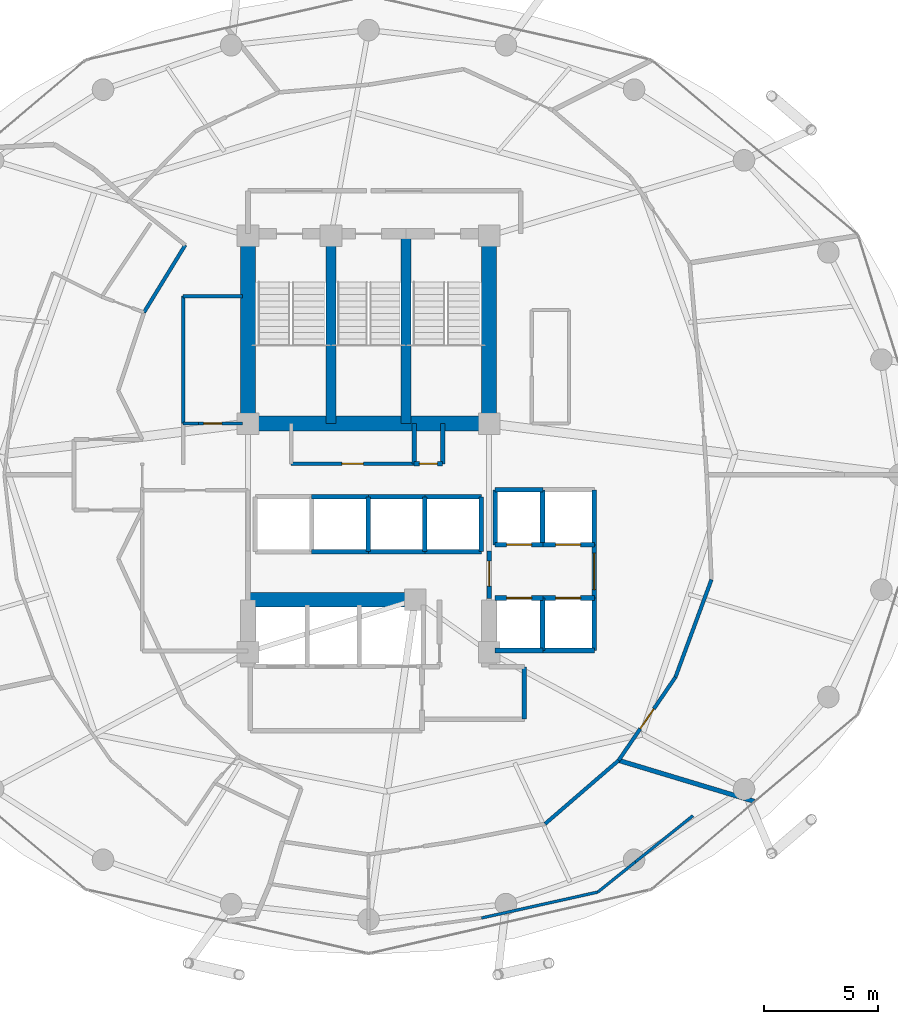
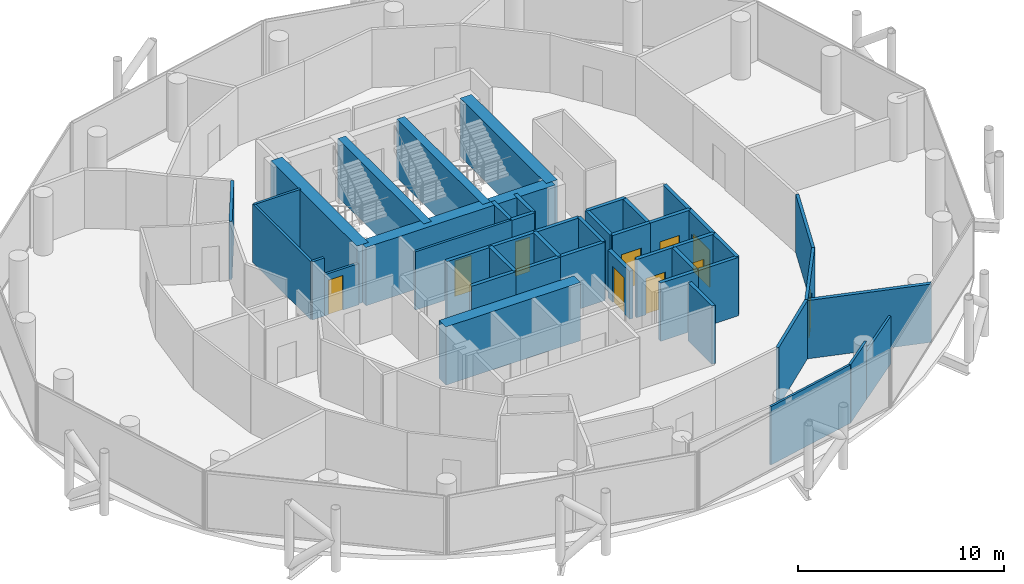
# One storey, part 23 of 26: 46 walls, 10 doors, 10 openings.
"""IFC4 building model written with IfcOpenShell, lengths in metres."""

from ifc_helpers import new_model, si_unit, direction, frame, frame_2d, origin, place, context, subcontext, project, spatial, rectangle, extrude, material, layer, layer_set, type_object, element, fill, save


model = new_model("IFC4")

# Units and contexts
model_context = context("Model", 3, precision=1e-05, world=origin(), true_north=direction((0.0, 1.0)))
body_context = subcontext(model_context, "Body", "Model", "MODEL_VIEW")
ifc_project = project(units=[si_unit("LENGTHUNIT", "METRE"), si_unit("AREAUNIT", "SQUARE_METRE"), si_unit("VOLUMEUNIT", "CUBIC_METRE"), si_unit("PLANEANGLEUNIT", "RADIAN"), si_unit("MASSUNIT", "GRAM", prefix="KILO")], contexts=[model_context])

# Site, building, storey
site_placement = place(None, origin())
site = spatial("IfcSite", under=ifc_project, at=site_placement, CompositionType="ELEMENT")
building_placement = place(site_placement, origin())
building = spatial("IfcBuilding", under=site, at=building_placement, Name="Nuhasar Tower", CompositionType="ELEMENT")
storey_placement = place(building_placement, frame((0.0, 0.0, 188.550048828125)))
storey = spatial("IfcBuildingStorey", under=building, at=storey_placement, Name="L46", CompositionType="ELEMENT", Elevation=188.550048828125)

# Walls
ifc_material_1 = material(Name="Concrete C50/60", Category="concrete")
ifc_layer_1 = layer(ifc_material_1, 0.449951171875)
ifc_layer_set_1 = layer_set([ifc_layer_1], Name="Concrete C50/60")
wall_type_1 = type_object("IfcWallType", Name="WL-CORE-450", PredefinedType="SHEAR", material=ifc_layer_set_1)
for number, where, z_axis, x_axis, name in (
    (1, (37.35009765625, 29.050048828125, 0.0), (0.0, 0.0, 1.0), (0.0, 1.0, 0.0), "L46 Stairwell Shear Wall ST01-E"),
    (2, (40.64990234375, 29.050048828125, 0.0), (0.0, 0.0, 1.0), (0.0, 1.0, 0.0), "L46 Stairwell Shear Wall ST03-E"),
):
    element("IfcWall", number, at=place(storey_placement, frame(where, z_axis=z_axis, x_axis=x_axis)), inside=storey, type_object=wall_type_1, Name=name, PredefinedType="SHEAR", context=body_context, shape_type="SweptSolid", body=[
        extrude(rectangle(XDim=8.349853515625, YDim=0.449951171875, at=frame_2d((4.1748046875, 0.0))), origin(), (0.0, 0.0, 1.0), 3.449951171875),
    ])
ifc_material_2 = material(Name="Concrete C65/80", Category="concrete")
ifc_layer_2 = layer(ifc_material_2, 0.64990234375)
ifc_layer_set_2 = layer_set([ifc_layer_2], Name="Concrete C65/80")
wall_type_2 = type_object("IfcWallType", Name="WL-CORE-650", PredefinedType="SHEAR", material=ifc_layer_set_2)
for number, where, z_axis, x_axis, name in (
    (3, (33.699951171875, 29.050048828125, 0.0), (0.0, 0.0, 1.0), (0.0, 1.0, 0.0), "L46 Core Shear Wall CW-NW CW-650"),
    (4, (44.300048828125, 29.050048828125, 0.0), (0.0, 0.0, 1.0), (0.0, 1.0, 0.0), "L46 Core Shear Wall CW-NE CW-650"),
):
    element("IfcWall", number, at=place(storey_placement, frame(where, z_axis=z_axis, x_axis=x_axis)), inside=storey, type_object=wall_type_2, Name=name, PredefinedType="SHEAR", context=body_context, shape_type="SweptSolid", body=[
        extrude(rectangle(XDim=8.349853515625, YDim=0.64990234375, at=frame_2d((4.1748046875, 0.0))), origin(), (0.0, 0.0, 1.0), 3.449951171875),
    ])
wall_1_placement = place(storey_placement, frame((33.699951171875, 29.050048828125, 0.0), z_axis=(0.0, 0.0, 1.0), x_axis=(1.0, 0.0, 0.0)))
element("IfcWall", 5, at=wall_1_placement, inside=storey, type_object=wall_type_2, Name="L46 Core Shear Wall CW-N1 CW-650", PredefinedType="SHEAR", context=body_context, shape_type="SweptSolid", body=[
    extrude(rectangle(XDim=10.60009765625, YDim=0.64990234375, at=frame_2d((5.300048828125, 0.0))), origin(), (0.0, 0.0, 1.0), 3.449951171875),
])
wall_2_placement = place(storey_placement, frame((33.699951171875, 21.300048828125, 0.0), z_axis=(0.0, 0.0, 1.0), x_axis=(1.0, 0.0, 0.0)))
element("IfcWall", 6, at=wall_2_placement, inside=storey, type_object=wall_type_2, Name="L46 Core Shear Wall CW-S1 CW-650", PredefinedType="SHEAR", context=body_context, shape_type="SweptSolid", body=[
    extrude(rectangle(XDim=7.550048828125, YDim=0.64990234375, at=frame_2d((3.77490234375, 0.0))), origin(), (0.0, 0.0, 1.0), 3.449951171875),
])
ifc_material_3 = material(Name="Gypsum Board", Category="gypsum")
ifc_layer_3 = layer(ifc_material_3, 0.159912109375)
ifc_layer_set_3 = layer_set([ifc_layer_3], Name="Gypsum Board")
wall_type_3 = type_object("IfcWallType", Name="WL-CORR-160", PredefinedType="PARTITIONING", material=ifc_layer_set_3)
wall_3_placement = place(storey_placement, frame((46.760986328125, 11.445068359375, 0.0), z_axis=(0.0, 0.0, 1.0), x_axis=(0.756921867837, 0.653505383291, 0.0)))
element("IfcWall", 7, at=wall_3_placement, inside=storey, type_object=wall_type_3, Name="L46 Interior Partition CORR-40", PredefinedType="PARTITIONING", context=body_context, shape_type="SweptSolid", body=[
    extrude(rectangle(XDim=4.275390625, YDim=0.159912109375, at=frame_2d((2.1376953125, 0.0))), origin(), (0.0, 0.0, 1.0), 3.449951171875),
])

# Wall, opening, door
wall_4_placement = place(storey_placement, frame((52.49609375, 17.89892578125, 0.0), z_axis=(0.0, 0.0, 1.0), x_axis=(-0.563895671103, -0.825846034144, 0.0)))
wall_4 = element("IfcWall", 8, at=wall_4_placement, inside=storey, type_object=wall_type_3, Name="L46 Interior Partition CORR-42", PredefinedType="PARTITIONING", context=body_context, shape_type="SweptSolid", body=[
    extrude(rectangle(XDim=4.431640625, YDim=0.159912109375, at=frame_2d((2.2158203125, 0.0))), origin(), (0.0, 0.0, 1.0), 3.449951171875),
])
opening_1_placement = place(wall_4_placement, frame((1.69091796875, 0.0, 0.0)))
opening_1 = element("IfcOpeningElement", 9, at=opening_1_placement, cuts=wall_4, Name="Opening DU-01", PredefinedType="OPENING", context=body_context, shape_type="SweptSolid", body=[
    extrude(rectangle(XDim=1.050048828125, YDim=2.14990234375, at=frame_2d((0.52490234375, 1.074951171875))), frame((0.0, 0.08984375, 0.0), z_axis=(0.0, -1.0, 0.0), x_axis=(1.0, 0.0, 0.0)), (0.0, 0.0, 1.0), 0.179931640625),
])
ifc_material_4 = material(Name="Timber Oak", Category="wood")
door_type_1 = type_object("IfcDoorType", Name="DR-SUITE-FD60-1050", OperationType="NOTDEFINED", PredefinedType="DOOR", material=ifc_material_4)
door_1_placement = place(opening_1_placement, origin())
door_1 = element("IfcDoor", 10, at=door_1_placement, inside=storey, type_object=door_type_1, Name="L46 Royal Sky Majlis Lounge Entrance Door", OperationType="SINGLE_SWING_RIGHT", OverallHeight=2.14990234375, OverallWidth=1.050048828125, PredefinedType="DOOR", context=body_context, shape_type="SweptSolid", body=[
    extrude(rectangle(XDim=1.050048828125, YDim=2.14990234375, at=frame_2d((0.52490234375, 1.074951171875))), frame((0.0, 0.02490234375, 0.0), z_axis=(0.0, -1.0, 0.0), x_axis=(1.0, 0.0, 0.0)), (0.0, 0.0, 1.0), 0.050048828125),
])
fill(opening_1, door_1)

# Walls
wall_5_placement = place(storey_placement, frame((52.49609375, 17.89892578125, 0.0), z_axis=(0.0, 0.0, 1.0), x_axis=(0.346222869932, 0.93815229272, 0.0)))
element("IfcWall", 11, at=wall_5_placement, inside=storey, type_object=wall_type_3, Name="L46 Interior Partition CORR-44", PredefinedType="PARTITIONING", context=body_context, shape_type="SweptSolid", body=[
    extrude(rectangle(XDim=4.568603515625, YDim=0.159912109375, at=frame_2d((2.2841796875, 0.0))), origin(), (0.0, 0.0, 1.0), 3.449951171875),
])
wall_6_placement = place(storey_placement, frame((30.93896484375, 36.89697265625, 0.0), z_axis=(0.0, 0.0, 1.0), x_axis=(-0.522486120877, -0.852647789823, 0.0)))
element("IfcWall", 12, at=wall_6_placement, inside=storey, type_object=wall_type_3, Name="L46 Interior Partition HWEST-CORE-N-18", PredefinedType="PARTITIONING", context=body_context, shape_type="SweptSolid", body=[
    extrude(rectangle(XDim=3.468017578125, YDim=0.159912109375, at=frame_2d((1.73388671875, 0.0))), origin(), (0.0, 0.0, 1.0), 3.449951171875),
])

# Wall, opening, door
ifc_material_5 = material(Name="Concrete C45/55", Category="concrete")
ifc_layer_4 = layer(ifc_material_5, 0.199951171875)
ifc_layer_set_4 = layer_set([ifc_layer_4], Name="Concrete C45/55")
wall_type_4 = type_object("IfcWallType", Name="WL-LOBBY-200", PredefinedType="SOLIDWALL", material=ifc_layer_set_4)
wall_7_placement = place(storey_placement, frame((48.929931640625, 21.3798828125, 0.0), z_axis=(0.0, 0.0, 1.0), x_axis=(0.0, 1.0, 0.0)))
wall_7 = element("IfcWall", 13, at=wall_7_placement, inside=storey, type_object=wall_type_4, Name="L46 Interior Partition LLBM-E", PredefinedType="SOLIDWALL", context=body_context, shape_type="SweptSolid", body=[
    extrude(rectangle(XDim=2.340087890625, YDim=0.199951171875, at=frame_2d((1.169921875, 0.0))), origin(), (0.0, 0.0, 1.0), 3.449951171875),
])
opening_2_placement = place(wall_7_placement, frame((0.3701171875, 0.0, 0.0)))
opening_2 = element("IfcOpeningElement", 14, at=opening_2_placement, cuts=wall_7, Name="Opening DC-01", PredefinedType="OPENING", context=body_context, shape_type="SweptSolid", body=[
    extrude(rectangle(XDim=1.60009765625, YDim=2.199951171875, at=frame_2d((0.800048828125, 1.10009765625))), frame((0.0, 0.10986328125, 0.0), z_axis=(0.0, -1.0, 0.0), x_axis=(1.0, 0.0, 0.0)), (0.0, 0.0, 1.0), 0.219970703125),
])
ifc_material_6 = material(Name="Steel S355", Category="steel")
door_type_2 = type_object("IfcDoorType", Name="DR-CORR-FD60-1600", OperationType="DOUBLE_DOOR_SINGLE_SWING", PredefinedType="DOOR", material=ifc_material_6)
door_2_placement = place(opening_2_placement, origin())
door_2 = element("IfcDoor", 15, at=door_2_placement, inside=storey, type_object=door_type_2, Name="L46 Mid-Rise Lift Lobby East Entry", OperationType="DOUBLE_DOOR_SINGLE_SWING", OverallHeight=2.199951171875, OverallWidth=1.60009765625, PredefinedType="DOOR", context=body_context, shape_type="SweptSolid", body=[
    extrude(rectangle(XDim=1.60009765625, YDim=2.199951171875, at=frame_2d((0.800048828125, 1.10009765625))), frame((0.0, 0.02490234375, 0.0), z_axis=(0.0, -1.0, 0.0), x_axis=(1.0, 0.0, 0.0)), (0.0, 0.0, 1.0), 0.050048828125),
])
fill(opening_2, door_2)

wall_8_placement = place(storey_placement, frame((44.300048828125, 21.35009765625, 0.0), z_axis=(0.0, 0.0, 1.0), x_axis=(0.0, 1.0, 0.0)))
wall_8 = element("IfcWall", 16, at=wall_8_placement, inside=storey, type_object=wall_type_4, Name="L46 Interior Partition LLBH-E", PredefinedType="SOLIDWALL", context=body_context, shape_type="SweptSolid", body=[
    extrude(rectangle(XDim=2.099853515625, YDim=0.199951171875, at=frame_2d((1.0498046875, 0.0))), origin(), (0.0, 0.0, 1.0), 2.8349609375),
])
opening_3_placement = place(wall_8_placement, frame((0.550048828125, 0.0, 0.0)))
opening_3 = element("IfcOpeningElement", 17, at=opening_3_placement, cuts=wall_8, Name="Opening DS-02", PredefinedType="OPENING", context=body_context, shape_type="SweptSolid", body=[
    extrude(rectangle(XDim=1.10009765625, YDim=2.14990234375, at=frame_2d((0.550048828125, 1.074951171875))), frame((0.0, 0.10986328125, 0.0), z_axis=(0.0, -1.0, 0.0), x_axis=(1.0, 0.0, 0.0)), (0.0, 0.0, 1.0), 0.219970703125),
])
door_type_3 = type_object("IfcDoorType", Name="DR-FFL-FD120-1100", OperationType="NOTDEFINED", PredefinedType="DOOR", material=ifc_material_6)
door_3_placement = place(opening_3_placement, origin())
door_3 = element("IfcDoor", 18, at=door_3_placement, inside=storey, type_object=door_type_3, Name="L46 High-Rise Lobby East Door", OperationType="SINGLE_SWING_RIGHT", OverallHeight=2.14990234375, OverallWidth=1.10009765625, PredefinedType="DOOR", context=body_context, shape_type="SweptSolid", body=[
    extrude(rectangle(XDim=1.10009765625, YDim=2.14990234375, at=frame_2d((0.550048828125, 1.074951171875))), frame((0.0, 0.02490234375, 0.0), z_axis=(0.0, -1.0, 0.0), x_axis=(1.0, 0.0, 0.0)), (0.0, 0.0, 1.0), 0.050048828125),
])
fill(opening_3, door_3)

# Walls
wall_9_placement = place(storey_placement, frame((45.85009765625, 16.050048828125, 0.0), z_axis=(0.0, 0.0, 1.0), x_axis=(0.0, 1.0, 0.0)))
element("IfcWall", 19, at=wall_9_placement, inside=storey, type_object=wall_type_4, Name="L46 Interior Partition SVLV-E", PredefinedType="SOLIDWALL", context=body_context, shape_type="SweptSolid", body=[
    extrude(rectangle(XDim=2.300048828125, YDim=0.199951171875, at=frame_2d((1.14990234375, 0.0))), origin(), (0.0, 0.0, 1.0), 3.449951171875),
])
ifc_layer_5 = layer(ifc_material_3, 0.125)
ifc_layer_set_5 = layer_set([ifc_layer_5], Name="Gypsum Board")
wall_type_5 = type_object("IfcWallType", Name="WL-PART-125", PredefinedType="PARTITIONING", material=ifc_layer_set_5)
wall_10_placement = place(storey_placement, frame((43.968994140625, 7.30810546875, 0.0), z_axis=(0.0, 0.0, 1.0), x_axis=(0.976029965956, 0.21763617704, 0.0)))
element("IfcWall", 20, at=wall_10_placement, inside=storey, type_object=wall_type_5, Name="L46 Interior Partition HSAL-01-38", PredefinedType="PARTITIONING", context=body_context, shape_type="SweptSolid", body=[
    extrude(rectangle(XDim=5.237548828125, YDim=0.125, at=frame_2d((2.61865234375, 0.0))), origin(), (0.0, 0.0, 1.0), 3.449951171875),
])
wall_11_placement = place(storey_placement, frame((49.0810546875, 8.447998046875, 0.0), z_axis=(0.0, 0.0, 1.0), x_axis=(0.779800892582, 0.626027609558, 0.0)))
element("IfcWall", 21, at=wall_11_placement, inside=storey, type_object=wall_type_5, Name="L46 Interior Partition HSAL-01-40", PredefinedType="PARTITIONING", context=body_context, shape_type="SweptSolid", body=[
    extrude(rectangle(XDim=2.12109375, YDim=0.125, at=frame_2d((1.060546875, 0.0))), origin(), (0.0, 0.0, 1.0), 3.449951171875),
])
wall_12_placement = place(storey_placement, frame((50.735107421875, 9.77587890625, 0.0), z_axis=(0.0, 0.0, 1.0), x_axis=(0.779788382675, 0.626043191997, 0.0)))
element("IfcWall", 22, at=wall_12_placement, inside=storey, type_object=wall_type_5, Name="L46 Interior Partition HSAL-01-40", PredefinedType="PARTITIONING", context=body_context, shape_type="SweptSolid", body=[
    extrude(rectangle(XDim=3.244140625, YDim=0.125, at=frame_2d((1.6220703125, 0.0))), origin(), (0.0, 0.0, 1.0), 2.829833984375),
])
ifc_layer_6 = layer(ifc_material_5, 0.199951171875)
ifc_layer_set_6 = layer_set([ifc_layer_6], Name="Concrete C45/55")
wall_type_6 = type_object("IfcWallType", Name="WL-SHAFT-200", PredefinedType="SOLIDWALL", material=ifc_layer_set_6)
for number, where, z_axis, x_axis, name in (
    (23, (41.0, 27.280029296875, 0.0), (0.0, 0.0, 1.0), (0.0, 1.0, 0.0), "L46 Interior Partition RSRN-W"),
    (24, (42.260009765625, 27.280029296875, 0.0), (0.0, 0.0, 1.0), (0.0, 1.0, 0.0), "L46 Interior Partition RSRN-E"),
):
    element("IfcWall", number, at=place(storey_placement, frame(where, z_axis=z_axis, x_axis=x_axis)), inside=storey, type_object=wall_type_6, Name=name, PredefinedType="SOLIDWALL", context=body_context, shape_type="SweptSolid", body=[
        extrude(rectangle(XDim=1.77001953125, YDim=0.199951171875, at=frame_2d((0.885009765625, 0.0))), origin(), (0.0, 0.0, 1.0), 3.449951171875),
    ])

# Wall, opening, door
wall_13_placement = place(storey_placement, frame((41.0, 27.280029296875, 0.0), z_axis=(0.0, 0.0, 1.0), x_axis=(1.0, 0.0, 0.0)))
wall_13 = element("IfcWall", 25, at=wall_13_placement, inside=storey, type_object=wall_type_6, Name="L46 Interior Partition RSRN-S", PredefinedType="SOLIDWALL", context=body_context, shape_type="SweptSolid", body=[
    extrude(rectangle(XDim=1.260009765625, YDim=0.199951171875, at=frame_2d((0.6298828125, 0.0))), origin(), (0.0, 0.0, 1.0), 3.449951171875),
])
opening_4_placement = place(wall_13_placement, frame((0.22998046875, 0.0, 0.0)))
opening_4 = element("IfcOpeningElement", 26, at=opening_4_placement, cuts=wall_13, Name="Opening DM-01", PredefinedType="OPENING", context=body_context, shape_type="SweptSolid", body=[
    extrude(rectangle(XDim=0.800048828125, YDim=2.050048828125, at=frame_2d((0.39990234375, 1.02490234375))), frame((0.0, 0.10986328125, 0.0), z_axis=(0.0, -1.0, 0.0), x_axis=(1.0, 0.0, 0.0)), (0.0, 0.0, 1.0), 0.219970703125),
])
door_type_4 = type_object("IfcDoorType", Name="DR-RISER-FD60-800", OperationType="NOTDEFINED", PredefinedType="DOOR", material=ifc_material_6)
door_4_placement = place(opening_4_placement, origin())
door_4 = element("IfcDoor", 27, at=door_4_placement, inside=storey, type_object=door_type_4, Name="L46 North Smoke Riser Door", OperationType="SINGLE_SWING_RIGHT", OverallHeight=2.050048828125, OverallWidth=0.800048828125, PredefinedType="DOOR", context=body_context, shape_type="SweptSolid", body=[
    extrude(rectangle(XDim=0.800048828125, YDim=2.050048828125, at=frame_2d((0.39990234375, 1.02490234375))), frame((0.0, 0.02490234375, 0.0), z_axis=(0.0, -1.0, 0.0), x_axis=(1.0, 0.0, 0.0)), (0.0, 0.0, 1.0), 0.050048828125),
])
fill(opening_4, door_4)

wall_14_placement = place(storey_placement, frame((44.570068359375, 23.719970703125, 0.0), z_axis=(0.0, 0.0, 1.0), x_axis=(1.0, 0.0, 0.0)))
wall_14 = element("IfcWall", 28, at=wall_14_placement, inside=storey, type_object=wall_type_6, Name="L46 Interior Partition SHF-PL-M01-S", PredefinedType="SOLIDWALL", context=body_context, shape_type="SweptSolid", body=[
    extrude(rectangle(XDim=2.10986328125, YDim=0.199951171875, at=frame_2d((1.054931640625, 0.0))), origin(), (0.0, 0.0, 1.0), 3.449951171875),
])
opening_5_placement = place(wall_14_placement, frame((0.5048828125, 0.0, 0.0)))
opening_5 = element("IfcOpeningElement", 29, at=opening_5_placement, cuts=wall_14, Name="Opening LD-M01", PredefinedType="OPENING", context=body_context, shape_type="SweptSolid", body=[
    extrude(rectangle(XDim=1.10009765625, YDim=2.14990234375, at=frame_2d((0.550048828125, 1.074951171875))), frame((0.0, 0.10986328125, 0.0), z_axis=(0.0, -1.0, 0.0), x_axis=(1.0, 0.0, 0.0)), (0.0, 0.0, 1.0), 0.219970703125),
])
ifc_material_7 = material(Name="Stainless Steel 316L", Category="steel")
door_type_5 = type_object("IfcDoorType", Name="LD-PAX-1100", OperationType="DOUBLE_DOOR_SLIDING", PredefinedType="DOOR", material=ifc_material_7)
door_5_placement = place(opening_5_placement, origin())
door_5 = element("IfcDoor", 30, at=door_5_placement, inside=storey, type_object=door_type_5, Name="L46 Lift Landing Door PL-M01", OperationType="DOUBLE_DOOR_SLIDING", OverallHeight=2.14990234375, OverallWidth=1.10009765625, PredefinedType="DOOR", context=body_context, shape_type="SweptSolid", body=[
    extrude(rectangle(XDim=1.10009765625, YDim=2.14990234375, at=frame_2d((0.550048828125, 1.074951171875))), frame((0.0, 0.02490234375, 0.0), z_axis=(0.0, -1.0, 0.0), x_axis=(1.0, 0.0, 0.0)), (0.0, 0.0, 1.0), 0.050048828125),
])
fill(opening_5, door_5)

# Walls
wall_15_placement = place(storey_placement, frame((44.570068359375, 26.1298828125, 0.0), z_axis=(0.0, 0.0, 1.0), x_axis=(1.0, 0.0, 0.0)))
element("IfcWall", 31, at=wall_15_placement, inside=storey, type_object=wall_type_6, Name="L46 Interior Partition SHF-PL-M01-N", PredefinedType="SOLIDWALL", context=body_context, shape_type="SweptSolid", body=[
    extrude(rectangle(XDim=2.10986328125, YDim=0.199951171875, at=frame_2d((1.054931640625, 0.0))), origin(), (0.0, 0.0, 1.0), 3.449951171875),
])
for number, where, z_axis, x_axis, name in (
    (32, (44.570068359375, 23.719970703125, 0.0), (0.0, 0.0, 1.0), (0.0, 1.0, 0.0), "L46 Interior Partition SHF-PL-M01-W"),
    (33, (46.64990234375, 23.719970703125, 0.0), (0.0, 0.0, 1.0), (0.0, 1.0, 0.0), "L46 Interior Partition SHF-PL-M01-E"),
):
    element("IfcWall", number, at=place(storey_placement, frame(where, z_axis=z_axis, x_axis=x_axis)), inside=storey, type_object=wall_type_6, Name=name, PredefinedType="SOLIDWALL", context=body_context, shape_type="SweptSolid", body=[
        extrude(rectangle(XDim=2.409912109375, YDim=0.199951171875, at=frame_2d((1.205078125, 0.0))), origin(), (0.0, 0.0, 1.0), 3.449951171875),
    ])

# Wall, opening, door
wall_16_placement = place(storey_placement, frame((46.6201171875, 23.719970703125, 0.0), z_axis=(0.0, 0.0, 1.0), x_axis=(1.0, 0.0, 0.0)))
wall_16 = element("IfcWall", 34, at=wall_16_placement, inside=storey, type_object=wall_type_6, Name="L46 Interior Partition SHF-PL-M02-S", PredefinedType="SOLIDWALL", context=body_context, shape_type="SweptSolid", body=[
    extrude(rectangle(XDim=2.309814453125, YDim=0.199951171875, at=frame_2d((1.15478515625, 0.0))), origin(), (0.0, 0.0, 1.0), 3.449951171875),
])
opening_6_placement = place(wall_16_placement, frame((0.60498046875, 0.0, 0.0)))
opening_6 = element("IfcOpeningElement", 35, at=opening_6_placement, cuts=wall_16, Name="Opening LD-M02", PredefinedType="OPENING", context=body_context, shape_type="SweptSolid", body=[
    extrude(rectangle(XDim=1.10009765625, YDim=2.14990234375, at=frame_2d((0.550048828125, 1.074951171875))), frame((0.0, 0.10986328125, 0.0), z_axis=(0.0, -1.0, 0.0), x_axis=(1.0, 0.0, 0.0)), (0.0, 0.0, 1.0), 0.219970703125),
])
door_6_placement = place(opening_6_placement, origin())
door_6 = element("IfcDoor", 36, at=door_6_placement, inside=storey, type_object=door_type_5, Name="L46 Lift Landing Door PL-M02", OperationType="DOUBLE_DOOR_SLIDING", OverallHeight=2.14990234375, OverallWidth=1.10009765625, PredefinedType="DOOR", context=body_context, shape_type="SweptSolid", body=[
    extrude(rectangle(XDim=1.10009765625, YDim=2.14990234375, at=frame_2d((0.550048828125, 1.074951171875))), frame((0.0, 0.02490234375, 0.0), z_axis=(0.0, -1.0, 0.0), x_axis=(1.0, 0.0, 0.0)), (0.0, 0.0, 1.0), 0.050048828125),
])
fill(opening_6, door_6)

# Walls
wall_17_placement = place(storey_placement, frame((48.929931640625, 23.719970703125, 0.0), z_axis=(0.0, 0.0, 1.0), x_axis=(0.0, 1.0, 0.0)))
element("IfcWall", 37, at=wall_17_placement, inside=storey, type_object=wall_type_6, Name="L46 Interior Partition SHF-PL-M02-E", PredefinedType="SOLIDWALL", context=body_context, shape_type="SweptSolid", body=[
    extrude(rectangle(XDim=2.409912109375, YDim=0.199951171875, at=frame_2d((1.205078125, 0.0))), origin(), (0.0, 0.0, 1.0), 3.449951171875),
])
wall_18_placement = place(storey_placement, frame((44.570068359375, 19.070068359375, 0.0), z_axis=(0.0, 0.0, 1.0), x_axis=(1.0, 0.0, 0.0)))
element("IfcWall", 38, at=wall_18_placement, inside=storey, type_object=wall_type_6, Name="L46 Interior Partition SHF-PL-M03-S", PredefinedType="SOLIDWALL", context=body_context, shape_type="SweptSolid", body=[
    extrude(rectangle(XDim=2.10986328125, YDim=0.199951171875, at=frame_2d((1.054931640625, 0.0))), origin(), (0.0, 0.0, 1.0), 3.449951171875),
])

# Wall, opening, door
wall_19_placement = place(storey_placement, frame((44.570068359375, 21.3798828125, 0.0), z_axis=(0.0, 0.0, 1.0), x_axis=(1.0, 0.0, 0.0)))
wall_19 = element("IfcWall", 39, at=wall_19_placement, inside=storey, type_object=wall_type_6, Name="L46 Interior Partition SHF-PL-M03-N", PredefinedType="SOLIDWALL", context=body_context, shape_type="SweptSolid", body=[
    extrude(rectangle(XDim=2.10986328125, YDim=0.199951171875, at=frame_2d((1.054931640625, 0.0))), origin(), (0.0, 0.0, 1.0), 3.449951171875),
])
opening_7_placement = place(wall_19_placement, frame((0.5048828125, 0.0, 0.0)))
opening_7 = element("IfcOpeningElement", 40, at=opening_7_placement, cuts=wall_19, Name="Opening LD-M03", PredefinedType="OPENING", context=body_context, shape_type="SweptSolid", body=[
    extrude(rectangle(XDim=1.10009765625, YDim=2.14990234375, at=frame_2d((0.550048828125, 1.074951171875))), frame((0.0, 0.10986328125, 0.0), z_axis=(0.0, -1.0, 0.0), x_axis=(1.0, 0.0, 0.0)), (0.0, 0.0, 1.0), 0.219970703125),
])
door_7_placement = place(opening_7_placement, origin())
door_7 = element("IfcDoor", 41, at=door_7_placement, inside=storey, type_object=door_type_5, Name="L46 Lift Landing Door PL-M03", OperationType="DOUBLE_DOOR_SLIDING", OverallHeight=2.14990234375, OverallWidth=1.10009765625, PredefinedType="DOOR", context=body_context, shape_type="SweptSolid", body=[
    extrude(rectangle(XDim=1.10009765625, YDim=2.14990234375, at=frame_2d((0.550048828125, 1.074951171875))), frame((0.0, 0.02490234375, 0.0), z_axis=(0.0, -1.0, 0.0), x_axis=(1.0, 0.0, 0.0)), (0.0, 0.0, 1.0), 0.050048828125),
])
fill(opening_7, door_7)

# Walls
for number, where, z_axis, x_axis, name in (
    (42, (46.64990234375, 19.070068359375, 0.0), (0.0, 0.0, 1.0), (0.0, 1.0, 0.0), "L46 Interior Partition SHF-PL-M03-E"),
    (43, (46.6201171875, 19.070068359375, 0.0), (0.0, 0.0, 1.0), (1.0, 0.0, 0.0), "L46 Interior Partition SHF-PL-M04-S"),
):
    element("IfcWall", number, at=place(storey_placement, frame(where, z_axis=z_axis, x_axis=x_axis)), inside=storey, type_object=wall_type_6, Name=name, PredefinedType="SOLIDWALL", context=body_context, shape_type="SweptSolid", body=[
        extrude(rectangle(XDim=2.309814453125, YDim=0.199951171875, at=frame_2d((1.15478515625, 0.0))), origin(), (0.0, 0.0, 1.0), 3.449951171875),
    ])

# Wall, opening, door
wall_20_placement = place(storey_placement, frame((46.6201171875, 21.3798828125, 0.0), z_axis=(0.0, 0.0, 1.0), x_axis=(1.0, 0.0, 0.0)))
wall_20 = element("IfcWall", 44, at=wall_20_placement, inside=storey, type_object=wall_type_6, Name="L46 Interior Partition SHF-PL-M04-N", PredefinedType="SOLIDWALL", context=body_context, shape_type="SweptSolid", body=[
    extrude(rectangle(XDim=2.309814453125, YDim=0.199951171875, at=frame_2d((1.15478515625, 0.0))), origin(), (0.0, 0.0, 1.0), 3.449951171875),
])
opening_8_placement = place(wall_20_placement, frame((0.60498046875, 0.0, 0.0)))
opening_8 = element("IfcOpeningElement", 45, at=opening_8_placement, cuts=wall_20, Name="Opening LD-M04", PredefinedType="OPENING", context=body_context, shape_type="SweptSolid", body=[
    extrude(rectangle(XDim=1.10009765625, YDim=2.14990234375, at=frame_2d((0.550048828125, 1.074951171875))), frame((0.0, 0.10986328125, 0.0), z_axis=(0.0, -1.0, 0.0), x_axis=(1.0, 0.0, 0.0)), (0.0, 0.0, 1.0), 0.219970703125),
])
door_8_placement = place(opening_8_placement, origin())
door_8 = element("IfcDoor", 46, at=door_8_placement, inside=storey, type_object=door_type_5, Name="L46 Lift Landing Door PL-M04", OperationType="DOUBLE_DOOR_SLIDING", OverallHeight=2.14990234375, OverallWidth=1.10009765625, PredefinedType="DOOR", context=body_context, shape_type="SweptSolid", body=[
    extrude(rectangle(XDim=1.10009765625, YDim=2.14990234375, at=frame_2d((0.550048828125, 1.074951171875))), frame((0.0, 0.02490234375, 0.0), z_axis=(0.0, -1.0, 0.0), x_axis=(1.0, 0.0, 0.0)), (0.0, 0.0, 1.0), 0.050048828125),
])
fill(opening_8, door_8)

# Walls
wall_21_placement = place(storey_placement, frame((48.929931640625, 19.070068359375, 0.0), z_axis=(0.0, 0.0, 1.0), x_axis=(0.0, 1.0, 0.0)))
element("IfcWall", 47, at=wall_21_placement, inside=storey, type_object=wall_type_6, Name="L46 Interior Partition SHF-PL-M04-E", PredefinedType="SOLIDWALL", context=body_context, shape_type="SweptSolid", body=[
    extrude(rectangle(XDim=2.309814453125, YDim=0.199951171875, at=frame_2d((1.15478515625, 0.0))), origin(), (0.0, 0.0, 1.0), 3.449951171875),
])
for number, where, z_axis, x_axis, name in (
    (48, (36.5, 23.419921875, 0.0), (0.0, 0.0, 1.0), (1.0, 0.0, 0.0), "L46 Interior Partition SHF-PL-H02-S"),
    (49, (36.5, 25.830078125, 0.0), (0.0, 0.0, 1.0), (1.0, 0.0, 0.0), "L46 Interior Partition SHF-PL-H02-N"),
):
    element("IfcWall", number, at=place(storey_placement, frame(where, z_axis=z_axis, x_axis=x_axis)), inside=storey, type_object=wall_type_6, Name=name, PredefinedType="SOLIDWALL", context=body_context, shape_type="SweptSolid", body=[
        extrude(rectangle(XDim=2.5, YDim=0.199951171875, at=frame_2d((1.25, 0.0))), origin(), (0.0, 0.0, 1.0), 3.449951171875),
    ])
wall_22_placement = place(storey_placement, frame((38.989990234375, 23.419921875, 0.0), z_axis=(0.0, 0.0, 1.0), x_axis=(0.0, 1.0, 0.0)))
element("IfcWall", 50, at=wall_22_placement, inside=storey, type_object=wall_type_6, Name="L46 Interior Partition SHF-PL-H02-E", PredefinedType="SOLIDWALL", context=body_context, shape_type="SweptSolid", body=[
    extrude(rectangle(XDim=2.41015625, YDim=0.199951171875, at=frame_2d((1.205078125, 0.0))), origin(), (0.0, 0.0, 1.0), 3.449951171875),
])
for number, where, z_axis, x_axis, name in (
    (51, (38.97998046875, 23.419921875, 0.0), (0.0, 0.0, 1.0), (1.0, 0.0, 0.0), "L46 Interior Partition SHF-PL-H03-S"),
    (52, (38.97998046875, 25.830078125, 0.0), (0.0, 0.0, 1.0), (1.0, 0.0, 0.0), "L46 Interior Partition SHF-PL-H03-N"),
):
    element("IfcWall", number, at=place(storey_placement, frame(where, z_axis=z_axis, x_axis=x_axis)), inside=storey, type_object=wall_type_6, Name=name, PredefinedType="SOLIDWALL", context=body_context, shape_type="SweptSolid", body=[
        extrude(rectangle(XDim=2.5, YDim=0.199951171875, at=frame_2d((1.25, 0.0))), origin(), (0.0, 0.0, 1.0), 3.449951171875),
    ])
wall_23_placement = place(storey_placement, frame((41.469970703125, 23.419921875, 0.0), z_axis=(0.0, 0.0, 1.0), x_axis=(0.0, 1.0, 0.0)))
element("IfcWall", 53, at=wall_23_placement, inside=storey, type_object=wall_type_6, Name="L46 Interior Partition SHF-PL-H03-E", PredefinedType="SOLIDWALL", context=body_context, shape_type="SweptSolid", body=[
    extrude(rectangle(XDim=2.41015625, YDim=0.199951171875, at=frame_2d((1.205078125, 0.0))), origin(), (0.0, 0.0, 1.0), 3.449951171875),
])
for number, where, z_axis, x_axis, name in (
    (54, (41.4599609375, 23.419921875, 0.0), (0.0, 0.0, 1.0), (1.0, 0.0, 0.0), "L46 Interior Partition SHF-PL-H04-S"),
    (55, (41.4599609375, 25.830078125, 0.0), (0.0, 0.0, 1.0), (1.0, 0.0, 0.0), "L46 Interior Partition SHF-PL-H04-N"),
):
    element("IfcWall", number, at=place(storey_placement, frame(where, z_axis=z_axis, x_axis=x_axis)), inside=storey, type_object=wall_type_6, Name=name, PredefinedType="SOLIDWALL", context=body_context, shape_type="SweptSolid", body=[
        extrude(rectangle(XDim=2.5, YDim=0.199951171875, at=frame_2d((1.25, 0.0))), origin(), (0.0, 0.0, 1.0), 3.449951171875),
    ])
wall_24_placement = place(storey_placement, frame((43.9599609375, 23.419921875, 0.0), z_axis=(0.0, 0.0, 1.0), x_axis=(0.0, 1.0, 0.0)))
element("IfcWall", 56, at=wall_24_placement, inside=storey, type_object=wall_type_6, Name="L46 Interior Partition SHF-PL-H04-E", PredefinedType="SOLIDWALL", context=body_context, shape_type="SweptSolid", body=[
    extrude(rectangle(XDim=2.41015625, YDim=0.199951171875, at=frame_2d((1.205078125, 0.0))), origin(), (0.0, 0.0, 1.0), 3.449951171875),
])
ifc_material_8 = material(Name="Concrete C40/50 precast", Category="concrete")
ifc_layer_7 = layer(ifc_material_8, 0.199951171875)
ifc_layer_set_7 = layer_set([ifc_layer_7], Name="Concrete C40/50 precast")
wall_type_7 = type_object("IfcWallType", Name="WL-UNIT-200", PredefinedType="PARTITIONING", material=ifc_layer_set_7)
wall_25_placement = place(storey_placement, frame((49.9970703125, 14.239013671875, 0.0), z_axis=(0.0, 0.0, 1.0), x_axis=(0.957278355307, -0.289168031534, 0.0)))
element("IfcWall", 57, at=wall_25_placement, inside=storey, type_object=wall_type_7, Name="L46 Interior Partition HRAD-42", PredefinedType="PARTITIONING", context=body_context, shape_type="SweptSolid", body=[
    extrude(rectangle(XDim=6.224853515625, YDim=0.199951171875, at=frame_2d((3.1123046875, 0.0))), origin(), (0.0, 0.0, 1.0), 3.449951171875),
])

# Wall, opening, door
ifc_layer_8 = layer(ifc_material_8, 0.139892578125)
ifc_layer_set_8 = layer_set([ifc_layer_8], Name="Concrete C40/50 precast")
wall_type_8 = type_object("IfcWallType", Name="WL-WET-140", PredefinedType="PARTITIONING", material=ifc_layer_set_8)
wall_26_placement = place(storey_placement, frame((35.60009765625, 27.280029296875, 0.0), z_axis=(0.0, 0.0, 1.0), x_axis=(1.0, 0.0, 0.0)))
wall_26 = element("IfcWall", 58, at=wall_26_placement, inside=storey, type_object=wall_type_8, Name="L46 Interior Partition CSVC-S", PredefinedType="PARTITIONING", context=body_context, shape_type="SweptSolid", body=[
    extrude(rectangle(XDim=5.39990234375, YDim=0.139892578125, at=frame_2d((2.699951171875, 0.0))), origin(), (0.0, 0.0, 1.0), 3.449951171875),
])
opening_9_placement = place(wall_26_placement, frame((2.22509765625, 0.0, 0.0)))
opening_9 = element("IfcOpeningElement", 59, at=opening_9_placement, cuts=wall_26, Name="Opening DA-01", PredefinedType="OPENING", context=body_context, shape_type="SweptSolid", body=[
    extrude(rectangle(XDim=0.949951171875, YDim=2.10009765625, at=frame_2d((0.47509765625, 1.050048828125))), frame((0.0, 0.080078125, 0.0), z_axis=(0.0, -1.0, 0.0), x_axis=(1.0, 0.0, 0.0)), (0.0, 0.0, 1.0), 0.159912109375),
])
door_type_6 = type_object("IfcDoorType", Name="DR-ACCWC-950", OperationType="NOTDEFINED", PredefinedType="DOOR", material=ifc_material_4)
door_9_placement = place(opening_9_placement, origin())
door_9 = element("IfcDoor", 60, at=door_9_placement, inside=storey, type_object=door_type_6, Name="L46 Core Accessible Restroom Door", OperationType="SINGLE_SWING_LEFT", OverallHeight=2.10009765625, OverallWidth=0.949951171875, PredefinedType="DOOR", context=body_context, shape_type="SweptSolid", body=[
    extrude(rectangle(XDim=0.949951171875, YDim=2.10009765625, at=frame_2d((0.47509765625, 1.050048828125))), frame((0.0, 0.02490234375, 0.0), z_axis=(0.0, -1.0, 0.0), x_axis=(1.0, 0.0, 0.0)), (0.0, 0.0, 1.0), 0.050048828125),
])
fill(opening_9, door_9)

# Wall
wall_27_placement = place(storey_placement, frame((30.85009765625, 29.050048828125, 0.0), z_axis=(0.0, 0.0, 1.0), x_axis=(1.0, 0.0, 0.0)))
element("IfcWall", 61, at=wall_27_placement, inside=storey, type_object=wall_type_8, Name="L46 Interior Partition K3-NW-S", PredefinedType="PARTITIONING", context=body_context, shape_type="SweptSolid", body=[
    extrude(rectangle(XDim=0.66796875, YDim=0.139892578125, at=frame_2d((0.333984375, 0.0))), origin(), (0.0, 0.0, 1.0), 3.449951171875),
])

# Wall, opening, door
wall_28_placement = place(storey_placement, frame((31.51806640625, 29.050048828125, 0.0), z_axis=(0.0, 0.0, 1.0), x_axis=(1.0, 0.0, 0.0)))
wall_28 = element("IfcWall", 62, at=wall_28_placement, inside=storey, type_object=wall_type_8, Name="L46 Interior Partition K3-NW-S", PredefinedType="PARTITIONING", context=body_context, shape_type="SweptSolid", body=[
    extrude(rectangle(XDim=1.931884765625, YDim=0.139892578125, at=frame_2d((0.9658203125, 0.0))), origin(), (0.0, 0.0, 1.0), 2.43994140625),
])
opening_10_placement = place(wall_28_placement, frame((0.23193359375, 0.0, 0.0)))
opening_10 = element("IfcOpeningElement", 63, at=opening_10_placement, cuts=wall_28, Name="Opening DM-01", PredefinedType="OPENING", context=body_context, shape_type="SweptSolid", body=[
    extrude(rectangle(XDim=0.800048828125, YDim=2.050048828125, at=frame_2d((0.39990234375, 1.02490234375))), frame((0.0, 0.080078125, 0.0), z_axis=(0.0, -1.0, 0.0), x_axis=(1.0, 0.0, 0.0)), (0.0, 0.0, 1.0), 0.159912109375),
])
door_10_placement = place(opening_10_placement, origin())
door_10 = element("IfcDoor", 64, at=door_10_placement, inside=storey, type_object=door_type_4, Name="L46 NW Electrical Room Door", OperationType="SINGLE_SWING_LEFT", OverallHeight=2.050048828125, OverallWidth=0.800048828125, PredefinedType="DOOR", context=body_context, shape_type="SweptSolid", body=[
    extrude(rectangle(XDim=0.800048828125, YDim=2.050048828125, at=frame_2d((0.39990234375, 1.02490234375))), frame((0.0, 0.02490234375, 0.0), z_axis=(0.0, -1.0, 0.0), x_axis=(1.0, 0.0, 0.0)), (0.0, 0.0, 1.0), 0.050048828125),
])
fill(opening_10, door_10)

# Walls
wall_29_placement = place(storey_placement, frame((30.85009765625, 34.64990234375, 0.0), z_axis=(0.0, 0.0, 1.0), x_axis=(1.0, 0.0, 0.0)))
element("IfcWall", 65, at=wall_29_placement, inside=storey, type_object=wall_type_8, Name="L46 Interior Partition K3-NW-N", PredefinedType="PARTITIONING", context=body_context, shape_type="SweptSolid", body=[
    extrude(rectangle(XDim=2.599853515625, YDim=0.139892578125, at=frame_2d((1.2998046875, 0.0))), origin(), (0.0, 0.0, 1.0), 3.449951171875),
])
wall_30_placement = place(storey_placement, frame((30.85009765625, 29.050048828125, 0.0), z_axis=(0.0, 0.0, 1.0), x_axis=(0.0, 1.0, 0.0)))
element("IfcWall", 66, at=wall_30_placement, inside=storey, type_object=wall_type_8, Name="L46 Interior Partition K3-NW-W", PredefinedType="PARTITIONING", context=body_context, shape_type="SweptSolid", body=[
    extrude(rectangle(XDim=5.599853515625, YDim=0.139892578125, at=frame_2d((2.7998046875, 0.0))), origin(), (0.0, 0.0, 1.0), 3.449951171875),
])

save(model, "model.ifc")
